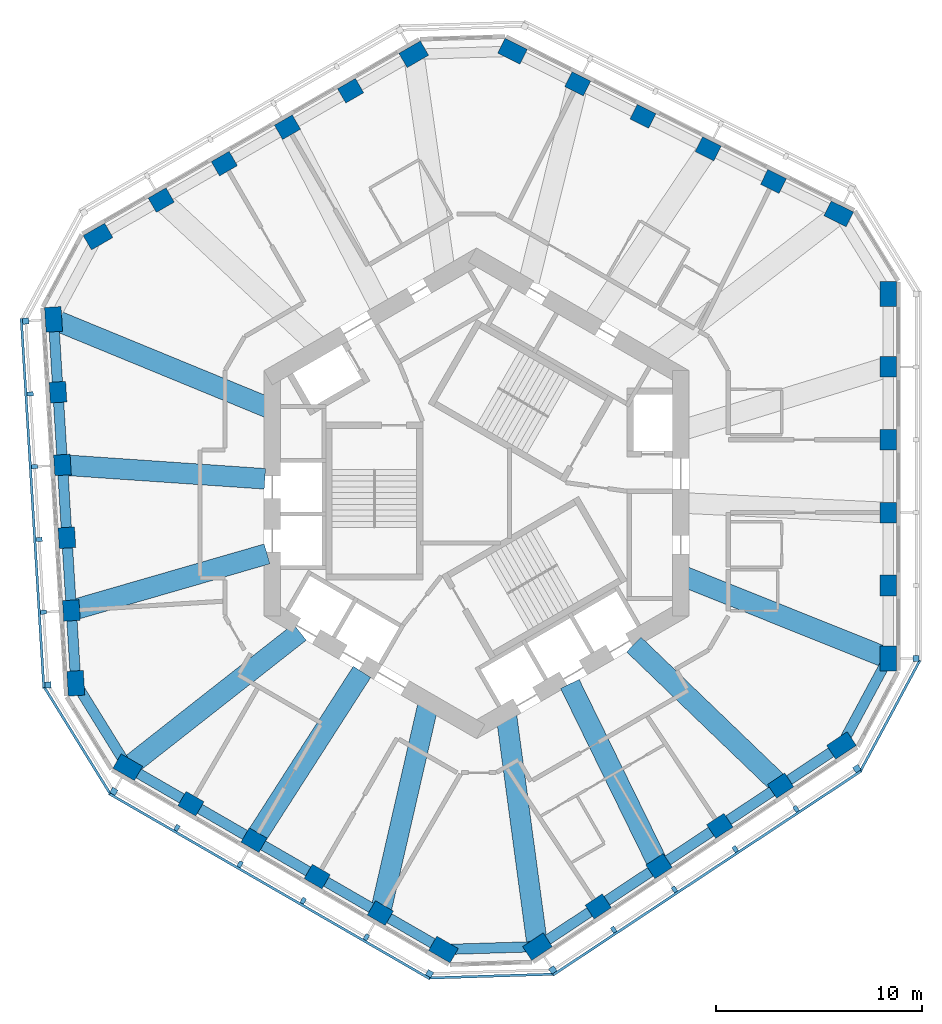
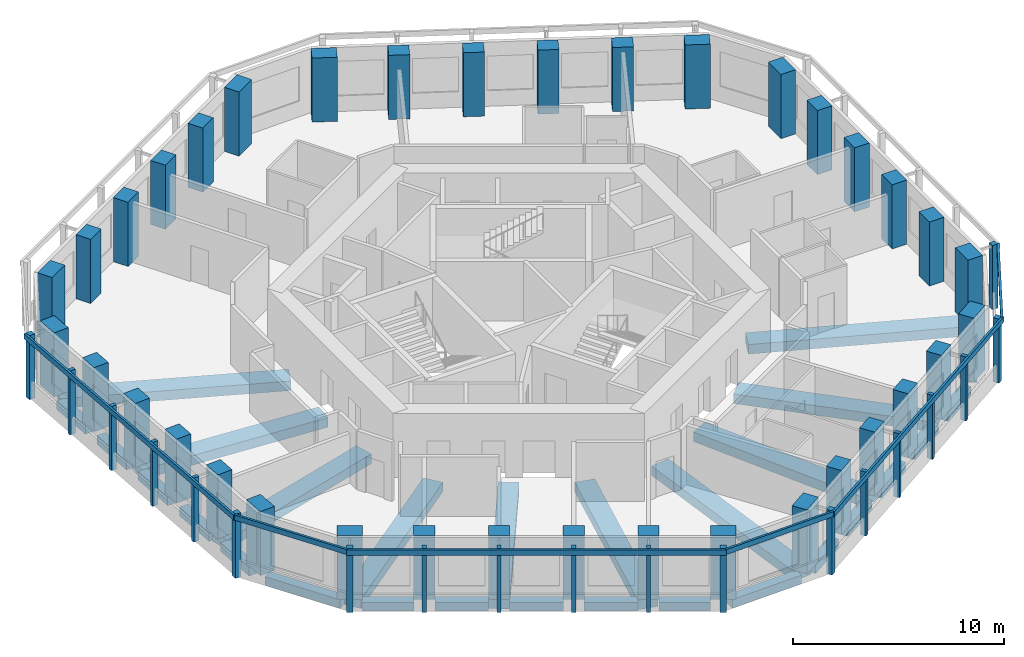
# One storey, part 1 of 11: 36 columns, 28 beams, 25 members, 7 elements without a shape of their own.
"""IFC4 building model written with IfcOpenShell, lengths in metres."""

from ifc_helpers import new_model, si_unit, direction, frame, origin, origin_2d, place, context, subcontext, project, spatial, rectangle, extrude, material, material_profile, profile_set, type_object, element, aggregate, save


model = new_model("IFC4")

# Units and contexts
model_context = context("Model", 3, precision=1e-05, world=origin(), true_north=direction((0.0, 1.0)))
body_context = subcontext(model_context, "Body", "Model", "MODEL_VIEW")
ifc_project = project(units=[si_unit("LENGTHUNIT", "METRE"), si_unit("AREAUNIT", "SQUARE_METRE"), si_unit("VOLUMEUNIT", "CUBIC_METRE"), si_unit("PLANEANGLEUNIT", "RADIAN"), si_unit("MASSUNIT", "GRAM", prefix="KILO")], contexts=[model_context])

# Site, building, storey
site_placement = place(None, origin())
site = spatial("IfcSite", under=ifc_project, at=site_placement, CompositionType="ELEMENT")
building_placement = place(site_placement, origin())
building = spatial("IfcBuilding", under=site, at=building_placement, Name="Vanh Sen Convention Tower", CompositionType="ELEMENT")
storey_placement = place(building_placement, frame((0.0, 0.0, 221.699951171875)))
storey = spatial("IfcBuildingStorey", under=building, at=storey_placement, Name="L54", CompositionType="ELEMENT", Elevation=221.699951171875)

# Columns
ifc_material_1 = material(Name="Concrete C60/75", Category="concrete")
ifc_material_profile_1 = material_profile(ifc_material_1, rectangle(XDim=1.0, YDim=0.800048828125, at=origin_2d()), Name="RC 1000X800")
ifc_profile_set_1 = profile_set([ifc_material_profile_1], Name="Concrete C60/75")
column_type_1 = type_object("IfcColumnType", Name="Facade column 1000 x 800 C60/75", PredefinedType="COLUMN", material=ifc_profile_set_1)
for number, where, z_axis, x_axis, name in (
    (1, (19.949951171875, -4.46923828125, 0.0), (0.0, 0.0, 1.0), (0.0, 1.0, 0.0), "Facade column 02 L54"),
    (2, (19.949951171875, -0.935546875, 0.0), (0.0, 0.0, 1.0), (0.0, 1.0, 0.0), "Facade column 03 L54"),
    (3, (19.949951171875, 2.59814453125, 0.0), (0.0, 0.0, 1.0), (0.0, 1.0, 0.0), "Facade column 04 L54"),
    (4, (19.949951171875, 6.131591796875, 0.0), (0.0, 0.0, 1.0), (0.0, 1.0, 0.0), "Facade column 05 L54"),
    (5, (14.38916015625, 15.117919921875, 0.0), (0.0, 0.0, 1.0), (-0.894934361602, 0.44619781311, 0.0), "Facade column 08 L54"),
    (6, (11.226806640625, 16.694580078125, 0.0), (0.0, 0.0, 1.0), (-0.894934361602, 0.44619781311, 0.0), "Facade column 09 L54"),
    (7, (8.064453125, 18.271484375, 0.0), (0.0, 0.0, 1.0), (-0.894934361602, 0.44619781311, 0.0), "Facade column 10 L54"),
    (8, (4.902099609375, 19.84814453125, 0.0), (0.0, 0.0, 1.0), (-0.894934361602, 0.44619781311, 0.0), "Facade column 11 L54"),
    (9, (-6.1044921875, 19.51171875, 0.0), (0.0, 0.0, 1.0), (-0.866025403784, -0.5, 0.0), "Facade column 14 L54"),
    (10, (-9.164794921875, 17.7451171875, 0.0), (0.0, 0.0, 1.0), (-0.866025403784, -0.5, 0.0), "Facade column 15 L54"),
    (11, (-12.22509765625, 15.978271484375, 0.0), (0.0, 0.0, 1.0), (-0.866025403784, -0.5, 0.0), "Facade column 16 L54"),
    (12, (-15.28515625, 14.211181640625, 0.0), (0.0, 0.0, 1.0), (-0.866025403784, -0.5, 0.0), "Facade column 17 L54"),
    (13, (-20.287109375, 4.90234375, 0.0), (0.0, 0.0, 1.0), (0.061048539535, -0.998134798422, 0.0), "Facade column 20 L54"),
    (14, (-20.0712890625, 1.375244140625, 0.0), (0.0, 0.0, 1.0), (0.061048539535, -0.998134798422, 0.0), "Facade column 21 L54"),
    (15, (-19.855712890625, -2.151611328125, 0.0), (0.0, 0.0, 1.0), (0.061048539535, -0.998134798422, 0.0), "Facade column 22 L54"),
    (16, (-19.639892578125, -5.6787109375, 0.0), (0.0, 0.0, 1.0), (0.061048539535, -0.998134798422, 0.0), "Facade column 23 L54"),
    (17, (-13.845458984375, -15.04248046875, 0.0), (0.0, 0.0, 1.0), (0.866025403784, -0.5, 0.0), "Facade column 26 L54"),
    (18, (-10.78515625, -16.809326171875, 0.0), (0.0, 0.0, 1.0), (0.866025403784, -0.5, 0.0), "Facade column 27 L54"),
    (19, (-7.72509765625, -18.576416015625, 0.0), (0.0, 0.0, 1.0), (0.866025403784, -0.5, 0.0), "Facade column 28 L54"),
    (20, (-4.664794921875, -20.343017578125, 0.0), (0.0, 0.0, 1.0), (0.866025403784, -0.5, 0.0), "Facade column 29 L54"),
    (21, (5.89794921875, -20.0205078125, 0.0), (0.0, 0.0, 1.0), (0.833885822067, 0.551936985312, 0.0), "Facade column 32 L54"),
    (22, (8.844482421875, -18.070068359375, 0.0), (0.0, 0.0, 1.0), (0.833885822067, 0.551936985312, 0.0), "Facade column 33 L54"),
    (23, (11.791259765625, -16.11962890625, 0.0), (0.0, 0.0, 1.0), (0.833885822067, 0.551936985312, 0.0), "Facade column 34 L54"),
    (24, (14.73779296875, -14.169189453125, 0.0), (0.0, 0.0, 1.0), (0.833885822067, 0.551936985312, 0.0), "Facade column 35 L54"),
):
    element("IfcColumn", number, at=place(storey_placement, frame(where, z_axis=z_axis, x_axis=x_axis)), inside=storey, type_object=column_type_1, Name=name, PredefinedType="COLUMN", context=body_context, shape_type="SweptSolid", body=[
        extrude(rectangle(XDim=1.0, YDim=0.800048828125, at=origin_2d()), origin(), (0.0, 0.0, 1.0), 3.699951171875),
    ])
ifc_material_profile_2 = material_profile(ifc_material_1, rectangle(XDim=1.199951171875, YDim=0.800048828125, at=origin_2d()), Name="RC 1200X800")
ifc_profile_set_2 = profile_set([ifc_material_profile_2], Name="Concrete C60/75")
column_type_2 = type_object("IfcColumnType", Name="Facade corner column 1200 x 800 C60/75", PredefinedType="COLUMN", material=ifc_profile_set_2)
for number, where, z_axis, x_axis, name in (
    (25, (19.949951171875, -8.002685546875, 0.0), (0.0, 0.0, 1.0), (0.0, 1.0, 0.0), "Facade column 01 L54"),
    (26, (19.949951171875, 9.665283203125, 0.0), (0.0, 0.0, 1.0), (0.0, 1.0, 0.0), "Facade column 06 L54"),
    (27, (17.551513671875, 13.541259765625, 0.0), (0.0, 0.0, 1.0), (-0.894934361602, 0.44619781311, 0.0), "Facade column 07 L54"),
    (28, (1.73974609375, 21.4248046875, 0.0), (0.0, 0.0, 1.0), (-0.894934361602, 0.44619781311, 0.0), "Facade column 12 L54"),
    (29, (-3.04443359375, 21.278564453125, 0.0), (0.0, 0.0, 1.0), (-0.866025403784, -0.5, 0.0), "Facade column 13 L54"),
    (30, (-18.345458984375, 12.444580078125, 0.0), (0.0, 0.0, 1.0), (-0.866025403784, -0.5, 0.0), "Facade column 18 L54"),
    (31, (-20.502685546875, 8.429443359375, 0.0), (0.0, 0.0, 1.0), (0.061048539535, -0.998134798422, 0.0), "Facade column 19 L54"),
    (32, (-19.42431640625, -9.205810546875, 0.0), (0.0, 0.0, 1.0), (0.061048539535, -0.998134798422, 0.0), "Facade column 24 L54"),
    (33, (-16.905517578125, -13.27587890625, 0.0), (0.0, 0.0, 1.0), (0.866025403784, -0.5, 0.0), "Facade column 25 L54"),
    (34, (-1.6044921875, -22.10986328125, 0.0), (0.0, 0.0, 1.0), (0.866025403784, -0.5, 0.0), "Facade column 30 L54"),
    (35, (2.951416015625, -21.970703125, 0.0), (0.0, 0.0, 1.0), (0.833885822067, 0.551936985312, 0.0), "Facade column 31 L54"),
    (36, (17.6845703125, -12.218994140625, 0.0), (0.0, 0.0, 1.0), (0.833885822067, 0.551936985312, 0.0), "Facade column 36 L54"),
):
    element("IfcColumn", number, at=place(storey_placement, frame(where, z_axis=z_axis, x_axis=x_axis)), inside=storey, type_object=column_type_2, Name=name, PredefinedType="COLUMN", context=body_context, shape_type="SweptSolid", body=[
        extrude(rectangle(XDim=1.199951171875, YDim=0.800048828125, at=origin_2d()), origin(), (0.0, 0.0, 1.0), 3.699951171875),
    ])

# Curtain wall, member
ifc_material_2 = material(Name="Concrete C50/60", Category="concrete")
curtain_wall_type = type_object("IfcCurtainWallType", Name="Outer skin office zone", PredefinedType="NOTDEFINED", material=ifc_material_2)
curtain_wall_1_placement = place(storey_placement, origin())
curtain_wall_1 = element("IfcCurtainWall", 37, at=curtain_wall_1_placement, inside=storey, type_object=curtain_wall_type, Name="OUTER SKIN E L54", PredefinedType="NOTDEFINED")
ifc_material_profile_3 = material_profile(ifc_material_2, rectangle(XDim=0.300048828125, YDim=0.300048828125, at=origin_2d()), Name="Outer skin precast corner fin 300 x 300")
ifc_profile_set_3 = profile_set([ifc_material_profile_3], Name="Concrete C50/60")
member_type_1 = type_object("IfcMemberType", Name="Outer skin precast corner fin 300 x 300", PredefinedType="MULLION", material=ifc_profile_set_3)
member_1_placement = place(storey_placement, frame((21.300048828125, -8.002685546875, 0.0), z_axis=(0.0, 0.0, 1.0), x_axis=(0.0, 1.0, 0.0)))
member_1 = element("IfcMember", 38, at=member_1_placement, type_object=member_type_1, Name="OUTER SKIN CORNER FIN 1 E L54", PredefinedType="MULLION", context=body_context, shape_type="SweptSolid", body=[
    extrude(rectangle(XDim=0.300048828125, YDim=0.300048828125, at=origin_2d()), origin(), (0.0, 0.0, 1.0), 3.699951171875),
])
aggregate(curtain_wall_1, [member_1])

# Curtain wall, members
curtain_wall_2_placement = place(storey_placement, origin())
curtain_wall_2 = element("IfcCurtainWall", 39, at=curtain_wall_2_placement, inside=storey, type_object=curtain_wall_type, Name="OUTER SKIN W L54", PredefinedType="NOTDEFINED")
member_2_placement = place(storey_placement, frame((-21.850341796875, 8.346923828125, 0.0), z_axis=(0.0, 0.0, 1.0), x_axis=(0.061048539535, -0.998134798422, 0.0)))
member_2 = element("IfcMember", 40, at=member_2_placement, type_object=member_type_1, Name="OUTER SKIN CORNER FIN 1 W L54", PredefinedType="MULLION", context=body_context, shape_type="SweptSolid", body=[
    extrude(rectangle(XDim=0.300048828125, YDim=0.300048828125, at=origin_2d()), origin(), (0.0, 0.0, 1.0), 3.699951171875),
])
member_3_placement = place(storey_placement, frame((-20.771728515625, -9.2880859375, 0.0), z_axis=(0.0, 0.0, 1.0), x_axis=(0.061048539535, -0.998134798422, 0.0)))
member_3 = element("IfcMember", 41, at=member_3_placement, type_object=member_type_1, Name="OUTER SKIN CORNER FIN 6 W L54", PredefinedType="MULLION", context=body_context, shape_type="SweptSolid", body=[
    extrude(rectangle(XDim=0.300048828125, YDim=0.300048828125, at=origin_2d()), origin(), (0.0, 0.0, 1.0), 3.699951171875),
])

curtain_wall_3_placement = place(storey_placement, origin())
curtain_wall_3 = element("IfcCurtainWall", 42, at=curtain_wall_3_placement, inside=storey, type_object=curtain_wall_type, Name="OUTER SKIN SW L54", PredefinedType="NOTDEFINED")
member_4_placement = place(storey_placement, frame((-17.58056640625, -14.44482421875, 0.0), z_axis=(0.0, 0.0, 1.0), x_axis=(0.866025403784, -0.5, 0.0)))
member_4 = element("IfcMember", 43, at=member_4_placement, type_object=member_type_1, Name="OUTER SKIN CORNER FIN 1 SW L54", PredefinedType="MULLION", context=body_context, shape_type="SweptSolid", body=[
    extrude(rectangle(XDim=0.300048828125, YDim=0.300048828125, at=origin_2d()), origin(), (0.0, 0.0, 1.0), 3.699951171875),
])
member_5_placement = place(storey_placement, frame((-2.279541015625, -23.279052734375, 0.0), z_axis=(0.0, 0.0, 1.0), x_axis=(0.866025403784, -0.5, 0.0)))
member_5 = element("IfcMember", 44, at=member_5_placement, type_object=member_type_1, Name="OUTER SKIN CORNER FIN 6 SW L54", PredefinedType="MULLION", context=body_context, shape_type="SweptSolid", body=[
    extrude(rectangle(XDim=0.300048828125, YDim=0.300048828125, at=origin_2d()), origin(), (0.0, 0.0, 1.0), 3.699951171875),
])

curtain_wall_4_placement = place(storey_placement, origin())
curtain_wall_4 = element("IfcCurtainWall", 45, at=curtain_wall_4_placement, inside=storey, type_object=curtain_wall_type, Name="OUTER SKIN SE L54", PredefinedType="NOTDEFINED")
member_6_placement = place(storey_placement, frame((3.6962890625, -23.096435546875, 0.0), z_axis=(0.0, 0.0, 1.0), x_axis=(0.833885822067, 0.551936985312, 0.0)))
member_6 = element("IfcMember", 46, at=member_6_placement, type_object=member_type_1, Name="OUTER SKIN CORNER FIN 1 SE L54", PredefinedType="MULLION", context=body_context, shape_type="SweptSolid", body=[
    extrude(rectangle(XDim=0.300048828125, YDim=0.300048828125, at=origin_2d()), origin(), (0.0, 0.0, 1.0), 3.699951171875),
])
member_7_placement = place(storey_placement, frame((18.4296875, -13.3447265625, 0.0), z_axis=(0.0, 0.0, 1.0), x_axis=(0.833885822067, 0.551936985312, 0.0)))
member_7 = element("IfcMember", 47, at=member_7_placement, type_object=member_type_1, Name="OUTER SKIN CORNER FIN 6 SE L54", PredefinedType="MULLION", context=body_context, shape_type="SweptSolid", body=[
    extrude(rectangle(XDim=0.300048828125, YDim=0.300048828125, at=origin_2d()), origin(), (0.0, 0.0, 1.0), 3.699951171875),
])

# Member
ifc_material_profile_4 = material_profile(ifc_material_2, rectangle(XDim=0.199951171875, YDim=0.300048828125, at=origin_2d()), Name="Outer skin precast fin 200 x 300")
ifc_profile_set_4 = profile_set([ifc_material_profile_4], Name="Concrete C50/60")
member_type_2 = type_object("IfcMemberType", Name="Outer skin precast fin 200 x 300", PredefinedType="MULLION", material=ifc_profile_set_4)
member_8_placement = place(storey_placement, frame((-21.634521484375, 4.820068359375, 0.0), z_axis=(0.0, 0.0, 1.0), x_axis=(0.061048539535, -0.998134798422, 0.0)))
member_8 = element("IfcMember", 48, at=member_8_placement, type_object=member_type_2, Name="OUTER SKIN fin 2 W L54", PredefinedType="MULLION", context=body_context, shape_type="SweptSolid", body=[
    extrude(rectangle(XDim=0.199951171875, YDim=0.300048828125, at=origin_2d()), origin(), (0.0, 0.0, 1.0), 3.699951171875),
])

member_9_placement = place(storey_placement, frame((-21.4189453125, 1.29296875, 0.0), z_axis=(0.0, 0.0, 1.0), x_axis=(0.061048539535, -0.998134798422, 0.0)))
member_9 = element("IfcMember", 49, at=member_9_placement, type_object=member_type_2, Name="OUTER SKIN fin 3 W L54", PredefinedType="MULLION", context=body_context, shape_type="SweptSolid", body=[
    extrude(rectangle(XDim=0.199951171875, YDim=0.300048828125, at=origin_2d()), origin(), (0.0, 0.0, 1.0), 3.699951171875),
])

member_10_placement = place(storey_placement, frame((-21.203125, -2.234130859375, 0.0), z_axis=(0.0, 0.0, 1.0), x_axis=(0.061048539535, -0.998134798422, 0.0)))
member_10 = element("IfcMember", 50, at=member_10_placement, type_object=member_type_2, Name="OUTER SKIN fin 4 W L54", PredefinedType="MULLION", context=body_context, shape_type="SweptSolid", body=[
    extrude(rectangle(XDim=0.199951171875, YDim=0.300048828125, at=origin_2d()), origin(), (0.0, 0.0, 1.0), 3.699951171875),
])

member_11_placement = place(storey_placement, frame((-20.987548828125, -5.760986328125, 0.0), z_axis=(0.0, 0.0, 1.0), x_axis=(0.061048539535, -0.998134798422, 0.0)))
member_11 = element("IfcMember", 51, at=member_11_placement, type_object=member_type_2, Name="OUTER SKIN fin 5 W L54", PredefinedType="MULLION", context=body_context, shape_type="SweptSolid", body=[
    extrude(rectangle(XDim=0.199951171875, YDim=0.300048828125, at=origin_2d()), origin(), (0.0, 0.0, 1.0), 3.699951171875),
])

member_12_placement = place(storey_placement, frame((-14.5205078125, -16.211669921875, 0.0), z_axis=(0.0, 0.0, 1.0), x_axis=(0.866025403784, -0.5, 0.0)))
member_12 = element("IfcMember", 52, at=member_12_placement, type_object=member_type_2, Name="OUTER SKIN fin 2 SW L54", PredefinedType="MULLION", context=body_context, shape_type="SweptSolid", body=[
    extrude(rectangle(XDim=0.199951171875, YDim=0.300048828125, at=origin_2d()), origin(), (0.0, 0.0, 1.0), 3.699951171875),
])

member_13_placement = place(storey_placement, frame((-11.460205078125, -17.978515625, 0.0), z_axis=(0.0, 0.0, 1.0), x_axis=(0.866025403784, -0.5, 0.0)))
member_13 = element("IfcMember", 53, at=member_13_placement, type_object=member_type_2, Name="OUTER SKIN fin 3 SW L54", PredefinedType="MULLION", context=body_context, shape_type="SweptSolid", body=[
    extrude(rectangle(XDim=0.199951171875, YDim=0.300048828125, at=origin_2d()), origin(), (0.0, 0.0, 1.0), 3.699951171875),
])

member_14_placement = place(storey_placement, frame((-8.39990234375, -19.745361328125, 0.0), z_axis=(0.0, 0.0, 1.0), x_axis=(0.866025403784, -0.5, 0.0)))
member_14 = element("IfcMember", 54, at=member_14_placement, type_object=member_type_2, Name="OUTER SKIN fin 4 SW L54", PredefinedType="MULLION", context=body_context, shape_type="SweptSolid", body=[
    extrude(rectangle(XDim=0.199951171875, YDim=0.300048828125, at=origin_2d()), origin(), (0.0, 0.0, 1.0), 3.699951171875),
])

member_15_placement = place(storey_placement, frame((-5.33984375, -21.51220703125, 0.0), z_axis=(0.0, 0.0, 1.0), x_axis=(0.866025403784, -0.5, 0.0)))
member_15 = element("IfcMember", 55, at=member_15_placement, type_object=member_type_2, Name="OUTER SKIN fin 5 SW L54", PredefinedType="MULLION", context=body_context, shape_type="SweptSolid", body=[
    extrude(rectangle(XDim=0.199951171875, YDim=0.300048828125, at=origin_2d()), origin(), (0.0, 0.0, 1.0), 3.699951171875),
])

member_16_placement = place(storey_placement, frame((6.64306640625, -21.14599609375, 0.0), z_axis=(0.0, 0.0, 1.0), x_axis=(0.833885822067, 0.551936985312, 0.0)))
member_16 = element("IfcMember", 56, at=member_16_placement, type_object=member_type_2, Name="OUTER SKIN fin 2 SE L54", PredefinedType="MULLION", context=body_context, shape_type="SweptSolid", body=[
    extrude(rectangle(XDim=0.199951171875, YDim=0.300048828125, at=origin_2d()), origin(), (0.0, 0.0, 1.0), 3.699951171875),
])

member_17_placement = place(storey_placement, frame((9.589599609375, -19.19580078125, 0.0), z_axis=(0.0, 0.0, 1.0), x_axis=(0.833885822067, 0.551936985312, 0.0)))
member_17 = element("IfcMember", 57, at=member_17_placement, type_object=member_type_2, Name="OUTER SKIN fin 3 SE L54", PredefinedType="MULLION", context=body_context, shape_type="SweptSolid", body=[
    extrude(rectangle(XDim=0.199951171875, YDim=0.300048828125, at=origin_2d()), origin(), (0.0, 0.0, 1.0), 3.699951171875),
])

member_18_placement = place(storey_placement, frame((12.536376953125, -17.245361328125, 0.0), z_axis=(0.0, 0.0, 1.0), x_axis=(0.833885822067, 0.551936985312, 0.0)))
member_18 = element("IfcMember", 58, at=member_18_placement, type_object=member_type_2, Name="OUTER SKIN fin 4 SE L54", PredefinedType="MULLION", context=body_context, shape_type="SweptSolid", body=[
    extrude(rectangle(XDim=0.199951171875, YDim=0.300048828125, at=origin_2d()), origin(), (0.0, 0.0, 1.0), 3.699951171875),
])

member_19_placement = place(storey_placement, frame((15.48291015625, -15.294921875, 0.0), z_axis=(0.0, 0.0, 1.0), x_axis=(0.833885822067, 0.551936985312, 0.0)))
member_19 = element("IfcMember", 59, at=member_19_placement, type_object=member_type_2, Name="OUTER SKIN fin 5 SE L54", PredefinedType="MULLION", context=body_context, shape_type="SweptSolid", body=[
    extrude(rectangle(XDim=0.199951171875, YDim=0.300048828125, at=origin_2d()), origin(), (0.0, 0.0, 1.0), 3.699951171875),
])

ifc_material_profile_5 = material_profile(ifc_material_2, rectangle(XDim=0.1201171875, YDim=0.300048828125, at=origin_2d()), Name="Outer skin precast spandrel band 300 x 120")
ifc_profile_set_5 = profile_set([ifc_material_profile_5], Name="Concrete C50/60")
member_type_3 = type_object("IfcMemberType", Name="Outer skin precast spandrel band 300 x 120", PredefinedType="USERDEFINED", material=ifc_profile_set_5)
member_20_placement = place(storey_placement, frame((-22.069091796875, 8.48388671875, 3.550048828125), z_axis=(0.061048457282, -0.998134803453, 0.0), x_axis=(0.998134803453, 0.061048457282, 0.0)))
member_20 = element("IfcMember", 60, at=member_20_placement, type_object=member_type_3, Name="OUTER SKIN spandrel band W L54", ObjectType="TRANSOM", PredefinedType="USERDEFINED", context=body_context, shape_type="SweptSolid", body=[
    extrude(rectangle(XDim=0.1201171875, YDim=0.300048828125, at=origin_2d()), origin(), (0.0, 0.0, 1.0), 17.968017578125),
])

aggregate(curtain_wall_2, [member_2, member_8, member_9, member_10, member_11, member_3, member_20])

# Curtain wall, member
curtain_wall_5_placement = place(storey_placement, origin())
curtain_wall_5 = element("IfcCurtainWall", 61, at=curtain_wall_5_placement, inside=storey, type_object=curtain_wall_type, Name="OUTER SKIN CH4 L54", PredefinedType="NOTDEFINED")
member_21_placement = place(storey_placement, frame((-20.9501953125, -9.398681640625, 3.550048828125), z_axis=(0.526193830542, -0.850364658661, 0.0), x_axis=(0.850364658661, 0.526193830542, 0.0)))
member_21 = element("IfcMember", 62, at=member_21_placement, type_object=member_type_3, Name="OUTER SKIN spandrel band CH4 L54", ObjectType="TRANSOM", PredefinedType="USERDEFINED", context=body_context, shape_type="SweptSolid", body=[
    extrude(rectangle(XDim=0.1201171875, YDim=0.300048828125, at=origin_2d()), origin(), (0.0, 0.0, 1.0), 6.064208984375),
])
aggregate(curtain_wall_5, [member_21])

# Member
member_22_placement = place(storey_placement, frame((-17.8154296875, -14.5517578125, 3.550048828125), z_axis=(0.866022898019, -0.500004340088, 0.0), x_axis=(0.500004340088, 0.866022898019, 0.0)))
member_22 = element("IfcMember", 63, at=member_22_placement, type_object=member_type_3, Name="OUTER SKIN spandrel band SW L54", ObjectType="TRANSOM", PredefinedType="USERDEFINED", context=body_context, shape_type="SweptSolid", body=[
    extrude(rectangle(XDim=0.1201171875, YDim=0.300048828125, at=origin_2d()), origin(), (0.0, 0.0, 1.0), 17.968017578125),
])

aggregate(curtain_wall_3, [member_4, member_12, member_13, member_14, member_15, member_5, member_22])

# Curtain wall, member
curtain_wall_6_placement = place(storey_placement, origin())
curtain_wall_6 = element("IfcCurtainWall", 64, at=curtain_wall_6_placement, inside=storey, type_object=curtain_wall_type, Name="OUTER SKIN CH5 L54", PredefinedType="NOTDEFINED")
member_23_placement = place(storey_placement, frame((-2.273193359375, -23.489013671875, 3.550048828125), z_axis=(0.99953342946, 0.030543794642, 0.0), x_axis=(-0.030543794642, 0.99953342946, 0.0)))
member_23 = element("IfcMember", 65, at=member_23_placement, type_object=member_type_3, Name="OUTER SKIN spandrel band CH5 L54", ObjectType="TRANSOM", PredefinedType="USERDEFINED", context=body_context, shape_type="SweptSolid", body=[
    extrude(rectangle(XDim=0.1201171875, YDim=0.300048828125, at=origin_2d()), origin(), (0.0, 0.0, 1.0), 5.978759765625),
])
aggregate(curtain_wall_6, [member_23])

# Member
member_24_placement = place(storey_placement, frame((3.687255859375, -23.3544921875, 3.550048828125), z_axis=(0.83388107344, 0.551944159638, 0.0), x_axis=(-0.551944159638, 0.83388107344, 0.0)))
member_24 = element("IfcMember", 66, at=member_24_placement, type_object=member_type_3, Name="OUTER SKIN spandrel band SE L54", ObjectType="TRANSOM", PredefinedType="USERDEFINED", context=body_context, shape_type="SweptSolid", body=[
    extrude(rectangle(XDim=0.1201171875, YDim=0.300048828125, at=origin_2d()), origin(), (0.0, 0.0, 1.0), 17.96826171875),
])

aggregate(curtain_wall_4, [member_6, member_16, member_17, member_18, member_19, member_7, member_24])

# Curtain wall, member
curtain_wall_7_placement = place(storey_placement, origin())
curtain_wall_7 = element("IfcCurtainWall", 67, at=curtain_wall_7_placement, inside=storey, type_object=curtain_wall_type, Name="OUTER SKIN CH6 L54", PredefinedType="NOTDEFINED")
member_25_placement = place(storey_placement, frame((18.61474609375, -13.444091796875, 3.550048828125), z_axis=(0.473333785199, 0.880883152177, 0.0), x_axis=(-0.880883152177, 0.473333785199, 0.0)))
member_25 = element("IfcMember", 68, at=member_25_placement, type_object=member_type_3, Name="OUTER SKIN spandrel band CH6 L54", ObjectType="TRANSOM", PredefinedType="USERDEFINED", context=body_context, shape_type="SweptSolid", body=[
    extrude(rectangle(XDim=0.1201171875, YDim=0.300048828125, at=origin_2d()), origin(), (0.0, 0.0, 1.0), 6.064208984375),
])
aggregate(curtain_wall_7, [member_25])

# Beams
ifc_material_3 = material(Name="Concrete C50/60", Category="concrete")
ifc_material_profile_6 = material_profile(ifc_material_3, rectangle(XDim=1.0, YDim=0.550048828125, at=origin_2d()), Name="RC 1000X550")
ifc_profile_set_6 = profile_set([ifc_material_profile_6], Name="Concrete C50/60")
beam_type_1 = type_object("IfcBeamType", Name="Radial floor beam 1000 x 550", PredefinedType="BEAM", material=ifc_profile_set_6)
beam_1_placement = place(storey_placement, frame((19.74072265625, -7.9189453125, -0.554931640625), z_axis=(-0.92810631139, 0.372315289449, 0.0), x_axis=(-0.372315289449, -0.92810631139, 0.0)))
element("IfcBeam", 69, at=beam_1_placement, inside=storey, type_object=beam_type_1, Name="Radial beam 01 L54", PredefinedType="BEAM", context=body_context, shape_type="SweptSolid", body=[
    extrude(rectangle(XDim=1.0, YDim=0.550048828125, at=origin_2d()), origin(), (0.0, 0.0, 1.0), 10.377685546875),
])
beam_2_placement = place(storey_placement, frame((-20.3203125, 8.3544921875, -0.554931640625), z_axis=(0.924877566589, -0.380265021821, 0.0), x_axis=(0.380265021821, 0.924877566589, 0.0)))
element("IfcBeam", 70, at=beam_2_placement, inside=storey, type_object=beam_type_1, Name="Radial beam 10 L54", PredefinedType="BEAM", context=body_context, shape_type="SweptSolid", body=[
    extrude(rectangle(XDim=1.0, YDim=0.550048828125, at=origin_2d()), origin(), (0.0, 0.0, 1.0), 11.044921875),
])
beam_3_placement = place(storey_placement, frame((-20.044189453125, 1.373291015625, -0.554931640625), z_axis=(0.99766210015, -0.068339841412, 0.0), x_axis=(0.068339841412, 0.99766210015, 0.0)))
element("IfcBeam", 71, at=beam_3_placement, inside=storey, type_object=beam_type_1, Name="Radial beam 11 L54", PredefinedType="BEAM", context=body_context, shape_type="SweptSolid", body=[
    extrude(rectangle(XDim=1.0, YDim=0.550048828125, at=origin_2d()), origin(), (0.0, 0.0, 1.0), 9.806396484375),
])
beam_4_placement = place(storey_placement, frame((-19.591796875, -5.664794921875, -0.554931640625), z_axis=(0.960647732033, 0.277769571659, 0.0), x_axis=(-0.277769571659, 0.960647732033, 0.0)))
element("IfcBeam", 72, at=beam_4_placement, inside=storey, type_object=beam_type_1, Name="Radial beam 12 L54", PredefinedType="BEAM", context=body_context, shape_type="SweptSolid", body=[
    extrude(rectangle(XDim=1.0, YDim=0.550048828125, at=origin_2d()), origin(), (0.0, 0.0, 1.0), 9.822021484375),
])
beam_5_placement = place(storey_placement, frame((-16.728271484375, -13.13671875, -0.554931640625), z_axis=(0.786480763705, 0.6176147734, 0.0), x_axis=(-0.6176147734, 0.786480763705, 0.0)))
element("IfcBeam", 73, at=beam_5_placement, inside=storey, type_object=beam_type_1, Name="Radial beam 13 L54", PredefinedType="BEAM", context=body_context, shape_type="SweptSolid", body=[
    extrude(rectangle(XDim=1.0, YDim=0.550048828125, at=origin_2d()), origin(), (0.0, 0.0, 1.0), 10.377685546875),
])
beam_6_placement = place(storey_placement, frame((-10.78173828125, -16.803955078125, -0.554931640625), z_axis=(0.540015696962, 0.841654945351, 0.0), x_axis=(-0.841654945351, 0.540015696962, 0.0)))
element("IfcBeam", 74, at=beam_6_placement, inside=storey, type_object=beam_type_1, Name="Radial beam 14 L54", PredefinedType="BEAM", context=body_context, shape_type="SweptSolid", body=[
    extrude(rectangle(XDim=1.0, YDim=0.550048828125, at=origin_2d()), origin(), (0.0, 0.0, 1.0), 9.6826171875),
])
beam_7_placement = place(storey_placement, frame((-4.649169921875, -20.27490234375, -0.554931640625), z_axis=(0.223519929805, 0.97469935928, 0.0), x_axis=(-0.97469935928, 0.223519929805, 0.0)))
element("IfcBeam", 75, at=beam_7_placement, inside=storey, type_object=beam_type_1, Name="Radial beam 15 L54", PredefinedType="BEAM", context=body_context, shape_type="SweptSolid", body=[
    extrude(rectangle(XDim=1.0, YDim=0.550048828125, at=origin_2d()), origin(), (0.0, 0.0, 1.0), 10.18408203125),
])
beam_8_placement = place(storey_placement, frame((2.925048828125, -21.775146484375, -0.554931640625), z_axis=(-0.133135191272, 0.991097886611, 0.0), x_axis=(-0.991097886611, -0.133135191272, 0.0)))
element("IfcBeam", 76, at=beam_8_placement, inside=storey, type_object=beam_type_1, Name="Radial beam 16 L54", PredefinedType="BEAM", context=body_context, shape_type="SweptSolid", body=[
    extrude(rectangle(XDim=1.0, YDim=0.550048828125, at=origin_2d()), origin(), (0.0, 0.0, 1.0), 11.044921875),
])
beam_9_placement = place(storey_placement, frame((8.83251953125, -18.04541015625, -0.554931640625), z_axis=(-0.439628935164, 0.898179491731, 0.0), x_axis=(-0.898179491731, -0.439628935164, 0.0)))
element("IfcBeam", 77, at=beam_9_placement, inside=storey, type_object=beam_type_1, Name="Radial beam 17 L54", PredefinedType="BEAM", context=body_context, shape_type="SweptSolid", body=[
    extrude(rectangle(XDim=1.0, YDim=0.550048828125, at=origin_2d()), origin(), (0.0, 0.0, 1.0), 9.80615234375),
])
beam_10_placement = place(storey_placement, frame((14.70166015625, -14.134521484375, -0.554931640625), z_axis=(-0.720877485016, 0.693062516369, 0.0), x_axis=(-0.693062516369, -0.720877485016, 0.0)))
element("IfcBeam", 78, at=beam_10_placement, inside=storey, type_object=beam_type_1, Name="Radial beam 18 L54", PredefinedType="BEAM", context=body_context, shape_type="SweptSolid", body=[
    extrude(rectangle(XDim=1.0, YDim=0.550048828125, at=origin_2d()), origin(), (0.0, 0.0, 1.0), 9.82177734375),
])
ifc_material_profile_7 = material_profile(ifc_material_3, rectangle(XDim=0.5, YDim=0.5, at=origin_2d()), Name="RC 500X500")
ifc_profile_set_7 = profile_set([ifc_material_profile_7], Name="Concrete C50/60")
beam_type_2 = type_object("IfcBeamType", Name="Spandrel beam 500 x 500", PredefinedType="SPANDREL", material=ifc_profile_set_7)
beam_11_placement = place(storey_placement, frame((-20.466552734375, 7.83544921875, -0.530029296875), z_axis=(0.061047088694, -0.998134887158, 0.0), x_axis=(0.998134887158, 0.061047088694, 0.0)))
element("IfcBeam", 79, at=beam_11_placement, inside=storey, type_object=beam_type_2, Name="Spandrel beam 19 L54", PredefinedType="SPANDREL", context=body_context, shape_type="SweptSolid", body=[
    extrude(rectangle(XDim=0.5, YDim=0.5, at=origin_2d()), origin(), (0.0, 0.0, 1.0), 2.443603515625),
])
for number, where, z_axis, x_axis, name in (
    (80, (-20.2568359375, 4.408447265625, -0.530029296875), (0.061039814536, -0.998135332027, 0.0), (0.998135332027, 0.061039814536, 0.0), "Spandrel beam 20 L54"),
    (81, (-20.041259765625, 0.88134765625, -0.530029296875), (0.061039814536, -0.998135332027, 0.0), (0.998135332027, 0.061039814536, 0.0), "Spandrel beam 21 L54"),
    (82, (-19.825439453125, -2.645751953125, -0.530029296875), (0.061039814536, -0.998135332027, 0.0), (0.998135332027, 0.061039814536, 0.0), "Spandrel beam 22 L54"),
):
    element("IfcBeam", number, at=place(storey_placement, frame(where, z_axis=z_axis, x_axis=x_axis)), inside=storey, type_object=beam_type_2, Name=name, PredefinedType="SPANDREL", context=body_context, shape_type="SweptSolid", body=[
        extrude(rectangle(XDim=0.5, YDim=0.5, at=origin_2d()), origin(), (0.0, 0.0, 1.0), 2.543701171875),
    ])
beam_12_placement = place(storey_placement, frame((-19.60986328125, -6.172607421875, -0.530029296875), z_axis=(0.061140531541, -0.998129167695, 0.0), x_axis=(0.998129167695, 0.061140531541, 0.0)))
element("IfcBeam", 83, at=beam_12_placement, inside=storey, type_object=beam_type_2, Name="Spandrel beam 23 L54", PredefinedType="SPANDREL", context=body_context, shape_type="SweptSolid", body=[
    extrude(rectangle(XDim=0.5, YDim=0.5, at=origin_2d()), origin(), (0.0, 0.0, 1.0), 2.44384765625),
])
beam_13_placement = place(storey_placement, frame((-19.22705078125, -9.5244140625, -0.530029296875), z_axis=(0.52623176642, -0.850341183297, 0.0), x_axis=(0.850341183297, 0.52623176642, 0.0)))
element("IfcBeam", 84, at=beam_13_placement, inside=storey, type_object=beam_type_2, Name="Spandrel beam 24 L54", PredefinedType="SPANDREL", context=body_context, shape_type="SweptSolid", body=[
    extrude(rectangle(XDim=0.5, YDim=0.5, at=origin_2d()), origin(), (0.0, 0.0, 1.0), 4.036865234375),
])
beam_14_placement = place(storey_placement, frame((-16.390380859375, -13.5732421875, -0.530029296875), z_axis=(0.866002566612, -0.500039553057, 0.0), x_axis=(0.500039553057, 0.866002566612, 0.0)))
element("IfcBeam", 85, at=beam_14_placement, inside=storey, type_object=beam_type_2, Name="Spandrel beam 25 L54", PredefinedType="SPANDREL", context=body_context, shape_type="SweptSolid", body=[
    extrude(rectangle(XDim=0.5, YDim=0.5, at=origin_2d()), origin(), (0.0, 0.0, 1.0), 2.443603515625),
])
beam_15_placement = place(storey_placement, frame((-13.416748046875, -15.2900390625, -0.530029296875), z_axis=(0.866001775466, -0.500040923216, 0.0), x_axis=(0.500040923216, 0.866001775466, 0.0)))
element("IfcBeam", 86, at=beam_15_placement, inside=storey, type_object=beam_type_2, Name="Spandrel beam 26 L54", PredefinedType="SPANDREL", context=body_context, shape_type="SweptSolid", body=[
    extrude(rectangle(XDim=0.5, YDim=0.5, at=origin_2d()), origin(), (0.0, 0.0, 1.0), 2.543701171875),
])
beam_16_placement = place(storey_placement, frame((-10.3564453125, -17.056884765625, -0.530029296875), z_axis=(0.865977774259, -0.500082487685, 0.0), x_axis=(0.500082487685, 0.865977774259, 0.0)))
element("IfcBeam", 87, at=beam_16_placement, inside=storey, type_object=beam_type_2, Name="Spandrel beam 27 L54", PredefinedType="SPANDREL", context=body_context, shape_type="SweptSolid", body=[
    extrude(rectangle(XDim=0.5, YDim=0.5, at=origin_2d()), origin(), (0.0, 0.0, 1.0), 2.54345703125),
])
beam_17_placement = place(storey_placement, frame((-7.29638671875, -18.82373046875, -0.530029296875), z_axis=(0.866001775466, -0.500040923216, 0.0), x_axis=(0.500040923216, 0.866001775466, 0.0)))
element("IfcBeam", 88, at=beam_17_placement, inside=storey, type_object=beam_type_2, Name="Spandrel beam 28 L54", PredefinedType="SPANDREL", context=body_context, shape_type="SweptSolid", body=[
    extrude(rectangle(XDim=0.5, YDim=0.5, at=origin_2d()), origin(), (0.0, 0.0, 1.0), 2.543701171875),
])
beam_18_placement = place(storey_placement, frame((-4.236083984375, -20.590576171875, -0.530029296875), z_axis=(0.866002566612, -0.500039553057, 0.0), x_axis=(0.500039553057, 0.866002566612, 0.0)))
element("IfcBeam", 89, at=beam_18_placement, inside=storey, type_object=beam_type_2, Name="Spandrel beam 29 L54", PredefinedType="SPANDREL", context=body_context, shape_type="SweptSolid", body=[
    extrude(rectangle(XDim=0.5, YDim=0.5, at=origin_2d()), origin(), (0.0, 0.0, 1.0), 2.443603515625),
])
beam_19_placement = place(storey_placement, frame((-1.25341796875, -22.09912109375, -0.530029296875), z_axis=(0.999534122931, 0.030521092636, 0.0), x_axis=(-0.030521092636, 0.999534122931, 0.0)))
element("IfcBeam", 90, at=beam_19_placement, inside=storey, type_object=beam_type_2, Name="Spandrel beam 30 L54", PredefinedType="SPANDREL", context=body_context, shape_type="SweptSolid", body=[
    extrude(rectangle(XDim=0.5, YDim=0.5, at=origin_2d()), origin(), (0.0, 0.0, 1.0), 3.85546875),
])
beam_20_placement = place(storey_placement, frame((3.447509765625, -21.642333984375, -0.530029296875), z_axis=(0.833890277806, 0.551930253367, 0.0), x_axis=(-0.551930253367, 0.833890277806, 0.0)))
element("IfcBeam", 91, at=beam_20_placement, inside=storey, type_object=beam_type_2, Name="Spandrel beam 31 L54", PredefinedType="SPANDREL", context=body_context, shape_type="SweptSolid", body=[
    extrude(rectangle(XDim=0.5, YDim=0.5, at=origin_2d()), origin(), (0.0, 0.0, 1.0), 2.443603515625),
])
for number, where, z_axis, x_axis, name in (
    (92, (6.310791015625, -19.747314453125, -0.530029296875), (0.833862044683, 0.55197290734, 0.0), (-0.55197290734, 0.833862044683, 0.0), "Spandrel beam 32 L54"),
    (93, (9.25732421875, -17.796875, -0.530029296875), (0.833862044683, 0.55197290734, 0.0), (-0.55197290734, 0.833862044683, 0.0), "Spandrel beam 33 L54"),
    (94, (12.2041015625, -15.846435546875, -0.530029296875), (0.833862044683, 0.55197290734, 0.0), (-0.55197290734, 0.833862044683, 0.0), "Spandrel beam 34 L54"),
):
    element("IfcBeam", number, at=place(storey_placement, frame(where, z_axis=z_axis, x_axis=x_axis)), inside=storey, type_object=beam_type_2, Name=name, PredefinedType="SPANDREL", context=body_context, shape_type="SweptSolid", body=[
        extrude(rectangle(XDim=0.5, YDim=0.5, at=origin_2d()), origin(), (0.0, 0.0, 1.0), 2.543701171875),
    ])
beam_21_placement = place(storey_placement, frame((15.150634765625, -13.89599609375, -0.530029296875), z_axis=(0.833920710798, 0.55188427057, 0.0), x_axis=(-0.55188427057, 0.833920710798, 0.0)))
element("IfcBeam", 95, at=beam_21_placement, inside=storey, type_object=beam_type_2, Name="Spandrel beam 35 L54", PredefinedType="SPANDREL", context=body_context, shape_type="SweptSolid", body=[
    extrude(rectangle(XDim=0.5, YDim=0.5, at=origin_2d()), origin(), (0.0, 0.0, 1.0), 2.443603515625),
])
beam_22_placement = place(storey_placement, frame((17.862060546875, -11.888916015625, -0.530029296875), z_axis=(0.473317001483, 0.880892170534, 0.0), x_axis=(-0.880892170534, 0.473317001483, 0.0)))
element("IfcBeam", 96, at=beam_22_placement, inside=storey, type_object=beam_type_2, Name="Spandrel beam 36 L54", PredefinedType="SPANDREL", context=body_context, shape_type="SweptSolid", body=[
    extrude(rectangle(XDim=0.5, YDim=0.5, at=origin_2d()), origin(), (0.0, 0.0, 1.0), 4.03662109375),
])

save(model, "model.ifc")
